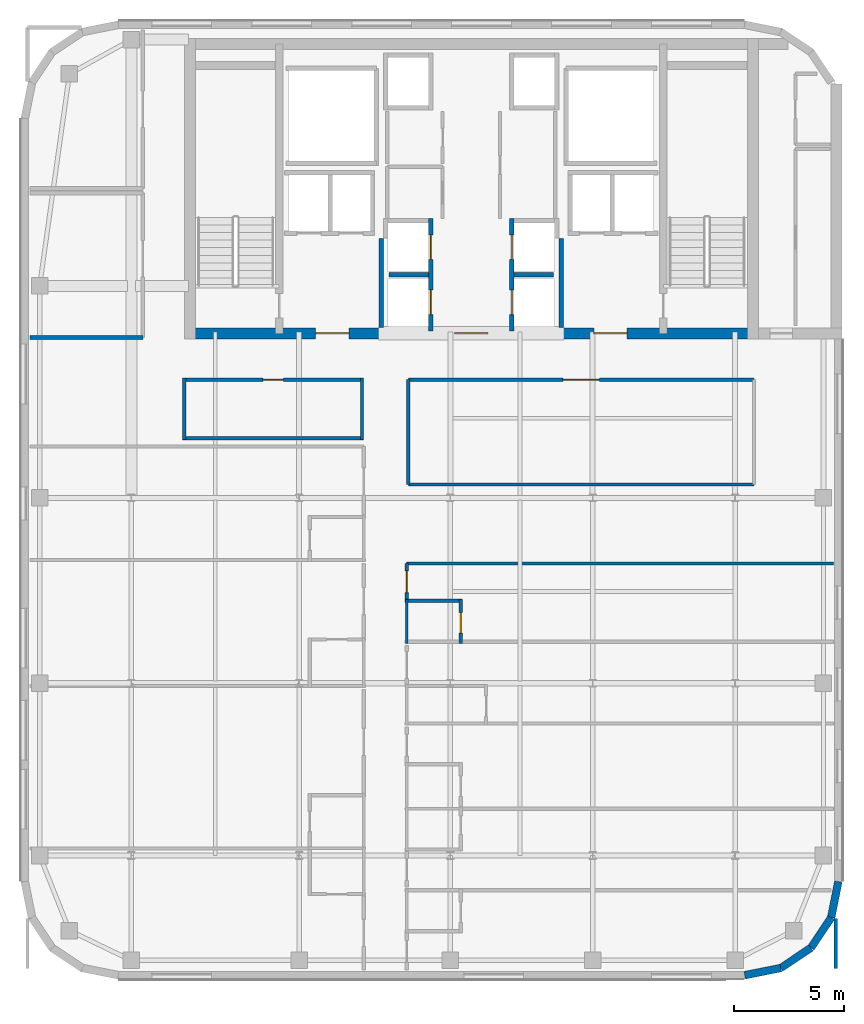
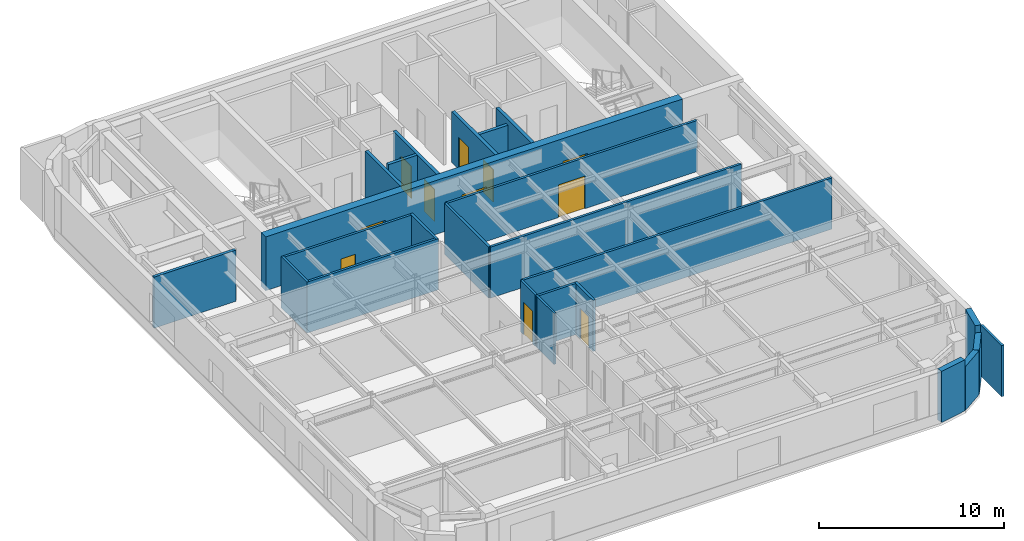
# One storey, part 5 of 12: 25 walls, 11 doors, 11 openings.
"""IFC4 building model written with IfcOpenShell, lengths in metres."""

from ifc_helpers import new_model, si_unit, direction, frame, frame_2d, origin, place, context, subcontext, project, spatial, rectangle, extrude, source, transform, mapped, material, layer, layer_set, type_object, type_shapes, element, fill, save


model = new_model("IFC4")

# Units and contexts
model_context = context("Model", 3, precision=1e-05, world=origin(), true_north=direction((0.0, 1.0)))
body_context = subcontext(model_context, "Body", "Model", "MODEL_VIEW")
ifc_project = project(units=[si_unit("LENGTHUNIT", "METRE"), si_unit("AREAUNIT", "SQUARE_METRE"), si_unit("VOLUMEUNIT", "CUBIC_METRE"), si_unit("PLANEANGLEUNIT", "RADIAN"), si_unit("MASSUNIT", "GRAM", prefix="KILO")], contexts=[model_context])

# Site, building, storey
site_placement = place(None, origin())
site = spatial("IfcSite", under=ifc_project, at=site_placement, CompositionType="ELEMENT")
building_placement = place(site_placement, origin())
building = spatial("IfcBuilding", under=site, at=building_placement, Name="Tolvann Quenvar Hotel", CompositionType="ELEMENT")
storey_placement = place(building_placement, frame((0.0, 0.0, 213.25)))
storey = spatial("IfcBuildingStorey", under=building, at=storey_placement, Name="L56", CompositionType="ELEMENT", Elevation=213.25)

# Wall, openings, doors
ifc_material_1 = material(Name="Concrete N50 (50 MPa)", Category="concrete")
ifc_layer_1 = layer(ifc_material_1, 0.5)
ifc_layer_set_1 = layer_set([ifc_layer_1], Name="Concrete N50 (50 MPa)")
wall_type_1 = type_object("IfcWallType", Name="WALL_CORE_500", PredefinedType="SHEAR", material=ifc_layer_set_1)
wall_1_placement = place(storey_placement, frame((10.0, 31.85009765625, 0.0), z_axis=(0.0, 0.0, 1.0), x_axis=(1.0, 0.0, 0.0)))
wall_1 = element("IfcWall", 1, at=wall_1_placement, inside=storey, type_object=wall_type_1, Name="Rear Core S Shear Wall (L56)", PredefinedType="SHEAR", context=body_context, shape_type="SweptSolid", body=[
    extrude(rectangle(XDim=26.0, YDim=0.5, at=frame_2d((13.0, 0.0))), origin(), (0.0, 0.0, 1.0), 3.550048828125),
])
opening_1_placement = place(wall_1_placement, frame((7.449951171875, 0.0, 0.0), z_axis=(0.0, 0.0, 1.0), x_axis=(-1.0, 0.0, 0.0)))
opening_1 = element("IfcOpeningElement", 2, at=opening_1_placement, cuts=wall_1, Name="Opening FD-60D", PredefinedType="OPENING", context=body_context, shape_type="SweptSolid", body=[
    extrude(rectangle(XDim=1.5, YDim=2.0400390625, at=frame_2d((0.75, 1.02001953125))), frame((0.0, 0.260009765625, 0.0), z_axis=(0.0, -1.0, 0.0), x_axis=(1.0, 0.0, 0.0)), (0.0, 0.0, 1.0), 0.52001953125),
])
opening_2_placement = place(wall_1_placement, frame((13.75, 0.0, 0.0), z_axis=(0.0, 0.0, 1.0), x_axis=(-1.0, 0.0, 0.0)))
opening_2 = element("IfcOpeningElement", 3, at=opening_2_placement, cuts=wall_1, Name="Opening FD-60D", PredefinedType="OPENING", context=body_context, shape_type="SweptSolid", body=[
    extrude(rectangle(XDim=1.5, YDim=2.0400390625, at=frame_2d((0.75, 1.02001953125))), frame((0.0, 0.260009765625, 0.0), z_axis=(0.0, -1.0, 0.0), x_axis=(1.0, 0.0, 0.0)), (0.0, 0.0, 1.0), 0.52001953125),
])
opening_3_placement = place(wall_1_placement, frame((20.050048828125, 0.0, 0.0), z_axis=(0.0, 0.0, 1.0), x_axis=(-1.0, 0.0, 0.0)))
opening_3 = element("IfcOpeningElement", 4, at=opening_3_placement, cuts=wall_1, Name="Opening FD-60D", PredefinedType="OPENING", context=body_context, shape_type="SweptSolid", body=[
    extrude(rectangle(XDim=1.5, YDim=2.0400390625, at=frame_2d((0.75, 1.02001953125))), frame((0.0, 0.260009765625, 0.0), z_axis=(0.0, -1.0, 0.0), x_axis=(1.0, 0.0, 0.0)), (0.0, 0.0, 1.0), 0.52001953125),
])
ifc_material_2 = material(Name="Solid-core American oak acoustic fire door leaf in steel frame", Category="steel")
door_type_1 = type_object("IfcDoorType", Name="DOOR_FIRE_LOBBY_1500", OperationType="NOTDEFINED", PredefinedType="DOOR", material=ifc_material_2)
shared_shape_1 = source(origin(), body_context, "Body", "SweptSolid", [
    extrude(rectangle(XDim=1.5, YDim=2.0400390625, at=frame_2d((0.75, 1.02001953125))), frame((0.0, 0.02490234375, 0.0), z_axis=(0.0, -1.0, 0.0), x_axis=(1.0, 0.0, 0.0)), (0.0, 0.0, 1.0), 0.050048828125),
])
type_shapes(door_type_1, [shared_shape_1])
door_1_placement = place(opening_1_placement, origin())
door_1 = element("IfcDoor", 5, at=door_1_placement, inside=storey, type_object=door_type_1, Name="Core Lobby Fire Door FFW (L56)", OperationType="DOUBLE_DOOR_SINGLE_SWING", OverallHeight=2.0400390625, OverallWidth=1.5, PredefinedType="DOOR", context=body_context, shape_type="MappedRepresentation", body=[
    mapped(shared_shape_1, transform((0.0, 0.0, 0.0), x_axis=(1.0, 0.0, 0.0), y_axis=(0.0, 1.0, 0.0), z_axis=(0.0, 0.0, 1.0), scale=1.0)),
])
fill(opening_1, door_1)
door_2_placement = place(opening_2_placement, origin())
door_2 = element("IfcDoor", 6, at=door_2_placement, inside=storey, type_object=door_type_1, Name="Core Lobby Fire Door CLOB (L56)", OperationType="DOUBLE_DOOR_SINGLE_SWING", OverallHeight=2.0400390625, OverallWidth=1.5, PredefinedType="DOOR", context=body_context, shape_type="MappedRepresentation", body=[
    mapped(shared_shape_1, transform((0.0, 0.0, 0.0), x_axis=(1.0, 0.0, 0.0), y_axis=(0.0, 1.0, 0.0), z_axis=(0.0, 0.0, 1.0), scale=1.0)),
])
fill(opening_2, door_2)
door_3_placement = place(opening_3_placement, origin())
door_3 = element("IfcDoor", 7, at=door_3_placement, inside=storey, type_object=door_type_1, Name="Core Lobby Fire Door FFE (L56)", OperationType="DOUBLE_DOOR_SINGLE_SWING", OverallHeight=2.0400390625, OverallWidth=1.5, PredefinedType="DOOR", context=body_context, shape_type="MappedRepresentation", body=[
    mapped(shared_shape_1, transform((0.0, 0.0, 0.0), x_axis=(1.0, 0.0, 0.0), y_axis=(0.0, 1.0, 0.0), z_axis=(0.0, 0.0, 1.0), scale=1.0)),
])
fill(opening_3, door_3)

# Walls
ifc_material_3 = material(Name="Kiln-fired red and buff architectural clay brickwork and terracotta masonry", Category="masonry")
ifc_layer_2 = layer(ifc_material_3, 0.35009765625)
ifc_layer_set_2 = layer_set([ifc_layer_2], Name="Kiln-fired red and buff architectural clay brickwork and terracotta masonry")
wall_type_2 = type_object("IfcWallType", Name="WALL_EXT_BRICK_350", PredefinedType="SOLIDWALL", material=ifc_layer_set_2)
wall_2_placement = place(storey_placement, frame((35.3828125, 2.77490234375, 0.0), z_axis=(0.0, 0.0, 1.0), x_axis=(0.980788844421, 0.195072403631, 0.0)))
element("IfcWall", 8, at=wall_2_placement, inside=storey, type_object=wall_type_2, Name="Exterior Chicago Brick Wall L56-E05", PredefinedType="SOLIDWALL", context=body_context, shape_type="SweptSolid", body=[
    extrude(rectangle(XDim=1.66455078125, YDim=0.35009765625, at=frame_2d((0.832275390625, 0.0))), origin(), (0.0, 0.0, 1.0), 3.3701171875),
])
for number, where, z_axis, x_axis, name in (
    (9, (37.015380859375, 3.099609375, 0.0), (0.0, 0.0, 1.0), (0.831434158098, 0.555623290322, 0.0), "Exterior Chicago Brick Wall L56-E06"),
    (10, (38.385009765625, 4.014892578125, 0.0), (0.0, 0.0, 1.0), (0.555623290322, 0.831434158098, 0.0), "Exterior Chicago Brick Wall L56-E07"),
):
    element("IfcWall", number, at=place(storey_placement, frame(where, z_axis=z_axis, x_axis=x_axis)), inside=storey, type_object=wall_type_2, Name=name, PredefinedType="SOLIDWALL", context=body_context, shape_type="SweptSolid", body=[
        extrude(rectangle(XDim=1.647216796875, YDim=0.35009765625, at=frame_2d((0.82373046875, 0.0))), origin(), (0.0, 0.0, 1.0), 2.89990234375),
    ])
wall_3_placement = place(storey_placement, frame((39.30029296875, 5.384521484375, 0.0), z_axis=(0.0, 0.0, 1.0), x_axis=(0.195072403631, 0.980788844421, 0.0)))
element("IfcWall", 11, at=wall_3_placement, inside=storey, type_object=wall_type_2, Name="Exterior Chicago Brick Wall L56-E08", PredefinedType="SOLIDWALL", context=body_context, shape_type="SweptSolid", body=[
    extrude(rectangle(XDim=1.66455078125, YDim=0.35009765625, at=frame_2d((0.832275390625, 0.0))), origin(), (0.0, 0.0, 1.0), 3.3701171875),
])
ifc_material_4 = material(Name="Acoustic twin-stud fire-rated gypsum plasterboard partition")
ifc_layer_3 = layer(ifc_material_4, 0.179931640625)
ifc_layer_set_3 = layer_set([ifc_layer_3], Name="Acoustic twin-stud fire-rated gypsum plasterboard partition")
wall_type_3 = type_object("IfcWallType", Name="WALL_PART_ACOUSTIC_180", PredefinedType="PARTITIONING", material=ifc_layer_set_3)
wall_4_placement = place(storey_placement, frame((3.0048828125, 31.64990234375, 0.0), z_axis=(0.0, 0.0, 1.0), x_axis=(1.0, 0.0, 0.0)))
element("IfcWall", 12, at=wall_4_placement, inside=storey, type_object=wall_type_3, Name="Interior Partition PT-SPC-L56-SAL-S", PredefinedType="PARTITIONING", context=body_context, shape_type="SweptSolid", body=[
    extrude(rectangle(XDim=5.115234375, YDim=0.179931640625, at=frame_2d((2.5576171875, 0.0))), origin(), (0.0, 0.0, 1.0), 3.3701171875),
])
ifc_material_5 = material(Name="Moisture-resistant acoustic plumbing wall assembly")
ifc_layer_4 = layer(ifc_material_5, 0.1201171875)
ifc_layer_set_4 = layer_set([ifc_layer_4], Name="Moisture-resistant acoustic plumbing wall assembly")
wall_type_4 = type_object("IfcWallType", Name="WALL_PART_BATH_120", PredefinedType="PLUMBINGWALL", material=ifc_layer_set_4)
wall_5_placement = place(storey_placement, frame((20.070068359375, 17.81005859375, 0.0), z_axis=(0.0, 0.0, 1.0), x_axis=(0.0, 1.0, 0.0)))
element("IfcWall", 13, at=wall_5_placement, inside=storey, type_object=wall_type_4, Name="Non-Rated Plumbing Partition PT-SPC-L56-ENS-EO05-W", PredefinedType="PLUMBINGWALL", context=body_context, shape_type="SweptSolid", body=[
    extrude(rectangle(XDim=1.989990234375, YDim=0.1201171875, at=frame_2d((0.9951171875, 0.0))), origin(), (0.0, 0.0, 1.0), 3.3701171875),
])

# Wall, opening, door
ifc_layer_5 = layer(ifc_material_4, 0.14990234375)
ifc_layer_set_5 = layer_set([ifc_layer_5], Name="Acoustic twin-stud fire-rated gypsum plasterboard partition")
wall_type_5 = type_object("IfcWallType", Name="WALL_PART_SUITE_150", PredefinedType="PARTITIONING", material=ifc_layer_set_5)
wall_6_placement = place(storey_placement, frame((22.52001953125, 17.81005859375, 0.0), z_axis=(0.0, 0.0, 1.0), x_axis=(0.0, 1.0, 0.0)))
wall_6 = element("IfcWall", 14, at=wall_6_placement, inside=storey, type_object=wall_type_5, Name="Interior Partition PT-SPC-L56-ENS-EO05-ENT", PredefinedType="PARTITIONING", context=body_context, shape_type="SweptSolid", body=[
    extrude(rectangle(XDim=1.989990234375, YDim=0.14990234375, at=frame_2d((0.9951171875, 0.0))), origin(), (0.0, 0.0, 1.0), 3.3701171875),
])
opening_4_placement = place(wall_6_placement, frame((0.465087890625, 0.0, 0.0)))
opening_4 = element("IfcOpeningElement", 15, at=opening_4_placement, cuts=wall_6, Name="Opening WD-01", PredefinedType="OPENING", context=body_context, shape_type="SweptSolid", body=[
    extrude(rectangle(XDim=0.919921875, YDim=2.010009765625, at=frame_2d((0.4599609375, 1.0048828125))), frame((0.0, 0.0849609375, 0.0), z_axis=(0.0, -1.0, 0.0), x_axis=(1.0, 0.0, 0.0)), (0.0, 0.0, 1.0), 0.169921875),
])
door_type_2 = type_object("IfcDoorType", Name="DOOR_WC_920", OperationType="NOTDEFINED", PredefinedType="DOOR", material=ifc_material_2)
shared_shape_2 = source(origin(), body_context, "Body", "SweptSolid", [
    extrude(rectangle(XDim=0.919921875, YDim=2.010009765625, at=frame_2d((0.4599609375, 1.0048828125))), frame((0.0, 0.02490234375, 0.0), z_axis=(0.0, -1.0, 0.0), x_axis=(1.0, 0.0, 0.0)), (0.0, 0.0, 1.0), 0.050048828125),
])
type_shapes(door_type_2, [shared_shape_2])
door_4_placement = place(opening_4_placement, origin())
door_4 = element("IfcDoor", 16, at=door_4_placement, inside=storey, type_object=door_type_2, Name="Interior Door DOOR-SPC-L56-ENS-EO05", OperationType="SINGLE_SWING_RIGHT", OverallHeight=2.010009765625, OverallWidth=0.919921875, PredefinedType="DOOR", context=body_context, shape_type="MappedRepresentation", body=[
    mapped(shared_shape_2, transform((0.0, 0.0, 0.0), x_axis=(1.0, 0.0, 0.0), y_axis=(0.0, 1.0, 0.0), z_axis=(0.0, 0.0, 1.0), scale=1.0)),
])
fill(opening_4, door_4)

# Walls
wall_7_placement = place(storey_placement, frame((20.0, 19.72998046875, 0.0), z_axis=(0.0, 0.0, 1.0), x_axis=(1.0, 0.0, 0.0)))
element("IfcWall", 17, at=wall_7_placement, inside=storey, type_object=wall_type_5, Name="Interior Partition PT-SPC-L56-ENS-EO05-N", PredefinedType="PARTITIONING", context=body_context, shape_type="SweptSolid", body=[
    extrude(rectangle(XDim=2.590087890625, YDim=0.14990234375, at=frame_2d((1.294921875, 0.0))), origin(), (0.0, 0.0, 1.0), 3.3701171875),
])
wall_8_placement = place(storey_placement, frame((39.5, 3.080078125, 0.0), z_axis=(0.0, 0.0, 1.0), x_axis=(0.0, 1.0, 0.0)))
element("IfcWall", 18, at=wall_8_placement, inside=storey, type_object=wall_type_5, Name="Interior Partition PT-SPC-L56-RM-EO01-E2", PredefinedType="PARTITIONING", context=body_context, shape_type="SweptSolid", body=[
    extrude(rectangle(XDim=2.264892578125, YDim=0.14990234375, at=frame_2d((1.13232421875, 0.0))), origin(), (0.0, 0.0, 1.0), 3.3701171875),
])

# Wall, opening, door
wall_9_placement = place(storey_placement, frame((20.070068359375, 19.81005859375, 0.0), z_axis=(0.0, 0.0, 1.0), x_axis=(0.0, 1.0, 0.0)))
wall_9 = element("IfcWall", 19, at=wall_9_placement, inside=storey, type_object=wall_type_5, Name="Interior Partition PT-SPC-L56-RM-EO05-ENT", PredefinedType="PARTITIONING", context=body_context, shape_type="SweptSolid", body=[
    extrude(rectangle(XDim=1.60986328125, YDim=0.14990234375, at=frame_2d((0.804931640625, 0.0))), origin(), (0.0, 0.0, 1.0), 3.3701171875),
])
opening_5_placement = place(wall_9_placement, frame((0.294921875, 0.0, 0.0)))
opening_5 = element("IfcOpeningElement", 20, at=opening_5_placement, cuts=wall_9, Name="Opening SD-01", PredefinedType="OPENING", context=body_context, shape_type="SweptSolid", body=[
    extrude(rectangle(XDim=0.97998046875, YDim=2.1201171875, at=frame_2d((0.489990234375, 1.06005859375))), frame((0.0, 0.0849609375, 0.0), z_axis=(0.0, -1.0, 0.0), x_axis=(1.0, 0.0, 0.0)), (0.0, 0.0, 1.0), 0.169921875),
])
door_type_3 = type_object("IfcDoorType", Name="DOOR_SUITE_980", OperationType="NOTDEFINED", PredefinedType="DOOR", material=ifc_material_2)
shared_shape_3 = source(origin(), body_context, "Body", "SweptSolid", [
    extrude(rectangle(XDim=0.97998046875, YDim=2.1201171875, at=frame_2d((0.489990234375, 1.06005859375))), frame((0.0, 0.02490234375, 0.0), z_axis=(0.0, -1.0, 0.0), x_axis=(1.0, 0.0, 0.0)), (0.0, 0.0, 1.0), 0.050048828125),
])
type_shapes(door_type_3, [shared_shape_3])
door_5_placement = place(opening_5_placement, origin())
door_5 = element("IfcDoor", 21, at=door_5_placement, inside=storey, type_object=door_type_3, Name="Interior Door DOOR-SPC-L56-RM-EO05", OperationType="SINGLE_SWING_RIGHT", OverallHeight=2.1201171875, OverallWidth=0.97998046875, PredefinedType="DOOR", context=body_context, shape_type="MappedRepresentation", body=[
    mapped(shared_shape_3, transform((0.0, 0.0, 0.0), x_axis=(1.0, 0.0, 0.0), y_axis=(0.0, 1.0, 0.0), z_axis=(0.0, 0.0, 1.0), scale=1.0)),
])
fill(opening_5, door_5)

# Walls
wall_10_placement = place(storey_placement, frame((20.070068359375, 21.419921875, 0.0), z_axis=(0.0, 0.0, 1.0), x_axis=(1.0, 0.0, 0.0)))
element("IfcWall", 22, at=wall_10_placement, inside=storey, type_object=wall_type_5, Name="Interior Partition PT-SPC-L56-RM-EO05-E5", PredefinedType="PARTITIONING", context=body_context, shape_type="SweptSolid", body=[
    extrude(rectangle(XDim=19.324951171875, YDim=0.14990234375, at=frame_2d((9.66259765625, 0.0))), origin(), (0.0, 0.0, 1.0), 3.3701171875),
])
wall_11_placement = place(storey_placement, frame((9.929931640625, 27.10009765625, 0.0), z_axis=(0.0, 0.0, 1.0), x_axis=(1.0, 0.0, 0.0)))
element("IfcWall", 23, at=wall_11_placement, inside=storey, type_object=wall_type_5, Name="Interior Partition PT-SPC-L56-WCA-S", PredefinedType="PARTITIONING", context=body_context, shape_type="SweptSolid", body=[
    extrude(rectangle(XDim=8.190185546875, YDim=0.14990234375, at=frame_2d((4.09521484375, 0.0))), origin(), (0.0, 0.0, 1.0), 3.3701171875),
])

# Wall, opening, door
wall_12_placement = place(storey_placement, frame((9.929931640625, 29.75, 0.0), z_axis=(0.0, 0.0, 1.0), x_axis=(1.0, 0.0, 0.0)))
wall_12 = element("IfcWall", 24, at=wall_12_placement, inside=storey, type_object=wall_type_5, Name="Interior Partition PT-SPC-L56-WCA-N", PredefinedType="PARTITIONING", context=body_context, shape_type="SweptSolid", body=[
    extrude(rectangle(XDim=8.190185546875, YDim=0.14990234375, at=frame_2d((4.09521484375, 0.0))), origin(), (0.0, 0.0, 1.0), 3.3701171875),
])
opening_6_placement = place(wall_12_placement, frame((3.635009765625, 0.0, 0.0)))
opening_6 = element("IfcOpeningElement", 25, at=opening_6_placement, cuts=wall_12, Name="Opening WD-01", PredefinedType="OPENING", context=body_context, shape_type="SweptSolid", body=[
    extrude(rectangle(XDim=0.919921875, YDim=2.010009765625, at=frame_2d((0.4599609375, 1.0048828125))), frame((0.0, 0.0849609375, 0.0), z_axis=(0.0, -1.0, 0.0), x_axis=(1.0, 0.0, 0.0)), (0.0, 0.0, 1.0), 0.169921875),
])
door_6_placement = place(opening_6_placement, origin())
door_6 = element("IfcDoor", 26, at=door_6_placement, inside=storey, type_object=door_type_2, Name="Interior Door DOOR-SPC-L56-WCA", OperationType="SINGLE_SWING_LEFT", OverallHeight=2.010009765625, OverallWidth=0.919921875, PredefinedType="DOOR", context=body_context, shape_type="MappedRepresentation", body=[
    mapped(shared_shape_2, transform((0.0, 0.0, 0.0), x_axis=(1.0, 0.0, 0.0), y_axis=(0.0, 1.0, 0.0), z_axis=(0.0, 0.0, 1.0), scale=1.0)),
])
fill(opening_6, door_6)

# Walls
for number, where, z_axis, x_axis, name in (
    (27, (10.0, 27.030029296875, 0.0), (0.0, 0.0, 1.0), (0.0, 1.0, 0.0), "Interior Partition PT-SPC-L56-WCA-W"),
    (28, (18.050048828125, 27.030029296875, 0.0), (0.0, 0.0, 1.0), (0.0, 1.0, 0.0), "Interior Partition PT-SPC-L56-WCA-E"),
):
    element("IfcWall", number, at=place(storey_placement, frame(where, z_axis=z_axis, x_axis=x_axis)), inside=storey, type_object=wall_type_5, Name=name, PredefinedType="PARTITIONING", context=body_context, shape_type="SweptSolid", body=[
        extrude(rectangle(XDim=2.7900390625, YDim=0.14990234375, at=frame_2d((1.39501953125, 0.0))), origin(), (0.0, 0.0, 1.0), 3.3701171875),
    ])
wall_13_placement = place(storey_placement, frame((20.14990234375, 25.0, 0.0), z_axis=(0.0, 0.0, 1.0), x_axis=(1.0, 0.0, 0.0)))
element("IfcWall", 29, at=wall_13_placement, inside=storey, type_object=wall_type_5, Name="Interior Partition PT-SPC-L56-LOUNGE-S", PredefinedType="PARTITIONING", context=body_context, shape_type="SweptSolid", body=[
    extrude(rectangle(XDim=15.650146484375, YDim=0.14990234375, at=frame_2d((7.8251953125, 0.0))), origin(), (0.0, 0.0, 1.0), 3.3701171875),
])

# Wall, opening, door
wall_14_placement = place(storey_placement, frame((20.14990234375, 29.75, 0.0), z_axis=(0.0, 0.0, 1.0), x_axis=(1.0, 0.0, 0.0)))
wall_14 = element("IfcWall", 30, at=wall_14_placement, inside=storey, type_object=wall_type_5, Name="Interior Partition PT-SPC-L56-LOUNGE-N", PredefinedType="PARTITIONING", context=body_context, shape_type="SweptSolid", body=[
    extrude(rectangle(XDim=15.650146484375, YDim=0.14990234375, at=frame_2d((7.8251953125, 0.0))), origin(), (0.0, 0.0, 1.0), 3.3701171875),
])
opening_7_placement = place(wall_14_placement, frame((7.0, 0.0, 0.0)))
opening_7 = element("IfcOpeningElement", 31, at=opening_7_placement, cuts=wall_14, Name="Opening AD-01", PredefinedType="OPENING", context=body_context, shape_type="SweptSolid", body=[
    extrude(rectangle(XDim=1.64990234375, YDim=2.14990234375, at=frame_2d((0.824951171875, 1.074951171875))), frame((0.0, 0.0849609375, 0.0), z_axis=(0.0, -1.0, 0.0), x_axis=(1.0, 0.0, 0.0)), (0.0, 0.0, 1.0), 0.169921875),
])
door_type_4 = type_object("IfcDoorType", Name="DOOR_SALON_1650", OperationType="NOTDEFINED", PredefinedType="DOOR", material=ifc_material_2)
shared_shape_4 = source(origin(), body_context, "Body", "SweptSolid", [
    extrude(rectangle(XDim=1.64990234375, YDim=2.14990234375, at=frame_2d((0.824951171875, 1.074951171875))), frame((0.0, 0.02490234375, 0.0), z_axis=(0.0, -1.0, 0.0), x_axis=(1.0, 0.0, 0.0)), (0.0, 0.0, 1.0), 0.050048828125),
])
type_shapes(door_type_4, [shared_shape_4])
door_7_placement = place(opening_7_placement, origin())
door_7 = element("IfcDoor", 32, at=door_7_placement, inside=storey, type_object=door_type_4, Name="Interior Door DOOR-SPC-L56-LOUNGE", OperationType="DOUBLE_DOOR_SINGLE_SWING", OverallHeight=2.14990234375, OverallWidth=1.64990234375, PredefinedType="DOOR", context=body_context, shape_type="MappedRepresentation", body=[
    mapped(shared_shape_4, transform((0.0, 0.0, 0.0), x_axis=(1.0, 0.0, 0.0), y_axis=(0.0, 1.0, 0.0), z_axis=(0.0, 0.0, 1.0), scale=1.0)),
])
fill(opening_7, door_7)

# Walls
wall_15_placement = place(storey_placement, frame((20.14990234375, 25.0, 0.0), z_axis=(0.0, 0.0, 1.0), x_axis=(0.0, 1.0, 0.0)))
element("IfcWall", 33, at=wall_15_placement, inside=storey, type_object=wall_type_5, Name="Interior Partition PT-SPC-L56-LOUNGE-W", PredefinedType="PARTITIONING", context=body_context, shape_type="SweptSolid", body=[
    extrude(rectangle(XDim=4.75, YDim=0.14990234375, at=frame_2d((2.375, 0.0))), origin(), (0.0, 0.0, 1.0), 3.3701171875),
])
ifc_material_6 = material(Name="Concrete N40 (40 MPa)", Category="concrete")
ifc_layer_6 = layer(ifc_material_6, 0.199951171875)
ifc_layer_set_6 = layer_set([ifc_layer_6], Name="Concrete N40 (40 MPa)")
wall_type_6 = type_object("IfcWallType", Name="WALL_SHAFT_200", PredefinedType="SOLIDWALL", material=ifc_layer_set_6)
for number, where, z_axis, x_axis, name in (
    (34, (18.919921875, 32.10400390625, 0.0), (0.0, 0.0, 1.0), (0.0, 1.0, 0.0), "Firefighting Lobby W Inner Fire Wall (L56)"),
    (35, (27.080078125, 32.10400390625, 0.0), (0.0, 0.0, 1.0), (0.0, 1.0, 0.0), "Firefighting Lobby E Inner Fire Wall (L56)"),
):
    element("IfcWall", number, at=place(storey_placement, frame(where, z_axis=z_axis, x_axis=x_axis)), inside=storey, type_object=wall_type_6, Name=name, PredefinedType="SOLIDWALL", context=body_context, shape_type="SweptSolid", body=[
        extrude(rectangle(XDim=4.0458984375, YDim=0.199951171875, at=frame_2d((2.02294921875, 0.0))), origin(), (0.0, 0.0, 1.0), 3.3701171875),
    ])

# Wall, openings, doors
wall_16_placement = place(storey_placement, frame((21.169921875, 31.9599609375, 0.0), z_axis=(0.0, 0.0, 1.0), x_axis=(0.0, 1.0, 0.0)))
wall_16 = element("IfcWall", 36, at=wall_16_placement, inside=storey, type_object=wall_type_6, Name="Lift Bank E21.1C1 Hoistway Front Wall (L56)", PredefinedType="SOLIDWALL", context=body_context, shape_type="SweptSolid", body=[
    extrude(rectangle(XDim=5.080078125, YDim=0.199951171875, at=frame_2d((2.5400390625, 0.0))), origin(), (0.0, 0.0, 1.0), 3.3701171875),
])
opening_8_placement = place(wall_16_placement, frame((0.739990234375, 0.0, 0.0)))
opening_8 = element("IfcOpeningElement", 37, at=opening_8_placement, cuts=wall_16, Name="Opening LD-01", PredefinedType="OPENING", context=body_context, shape_type="SweptSolid", body=[
    extrude(rectangle(XDim=1.10009765625, YDim=2.1201171875, at=frame_2d((0.550048828125, 1.06005859375))), frame((0.0, 0.10986328125, 0.0), z_axis=(0.0, -1.0, 0.0), x_axis=(1.0, 0.0, 0.0)), (0.0, 0.0, 1.0), 0.219970703125),
])
opening_9_placement = place(wall_16_placement, frame((3.239990234375, 0.0, 0.0)))
opening_9 = element("IfcOpeningElement", 38, at=opening_9_placement, cuts=wall_16, Name="Opening LD-01", PredefinedType="OPENING", context=body_context, shape_type="SweptSolid", body=[
    extrude(rectangle(XDim=1.10009765625, YDim=2.1201171875, at=frame_2d((0.550048828125, 1.06005859375))), frame((0.0, 0.10986328125, 0.0), z_axis=(0.0, -1.0, 0.0), x_axis=(1.0, 0.0, 0.0)), (0.0, 0.0, 1.0), 0.219970703125),
])
ifc_material_7 = material(Name="Brushed 316 stainless steel automatic sliding lift landing door", Category="steel")
door_type_5 = type_object("IfcDoorType", Name="DOOR_LIFT_SLIDE_1100", OperationType="NOTDEFINED", PredefinedType="DOOR", material=ifc_material_7)
shared_shape_5 = source(origin(), body_context, "Body", "SweptSolid", [
    extrude(rectangle(XDim=1.10009765625, YDim=2.1201171875, at=frame_2d((0.550048828125, 1.06005859375))), frame((0.0, 0.02490234375, 0.0), z_axis=(0.0, -1.0, 0.0), x_axis=(1.0, 0.0, 0.0)), (0.0, 0.0, 1.0), 0.050048828125),
])
type_shapes(door_type_5, [shared_shape_5])
door_8_placement = place(opening_8_placement, origin())
door_8 = element("IfcDoor", 39, at=door_8_placement, inside=storey, type_object=door_type_5, Name="Lift PH-1 Sliding Landing Door (L56)", OperationType="SLIDING_TO_LEFT", OverallHeight=2.1201171875, OverallWidth=1.10009765625, PredefinedType="DOOR", context=body_context, shape_type="MappedRepresentation", body=[
    mapped(shared_shape_5, transform((0.0, 0.0, 0.0), x_axis=(1.0, 0.0, 0.0), y_axis=(0.0, 1.0, 0.0), z_axis=(0.0, 0.0, 1.0), scale=1.0)),
])
fill(opening_8, door_8)
door_9_placement = place(opening_9_placement, origin())
door_9 = element("IfcDoor", 40, at=door_9_placement, inside=storey, type_object=door_type_5, Name="Lift PH-2 Sliding Landing Door (L56)", OperationType="SLIDING_TO_RIGHT", OverallHeight=2.1201171875, OverallWidth=1.10009765625, PredefinedType="DOOR", context=body_context, shape_type="MappedRepresentation", body=[
    mapped(shared_shape_5, transform((0.0, 0.0, 0.0), x_axis=(1.0, 0.0, 0.0), y_axis=(0.0, 1.0, 0.0), z_axis=(0.0, 0.0, 1.0), scale=1.0)),
])
fill(opening_9, door_9)

# Wall
wall_17_placement = place(storey_placement, frame((19.27001953125, 34.5, 0.0), z_axis=(0.0, 0.0, 1.0), x_axis=(1.0, 0.0, 0.0)))
element("IfcWall", 41, at=wall_17_placement, inside=storey, type_object=wall_type_6, Name="Lift Bank E21.1C1 Divider Wall 1 (L56)", PredefinedType="SOLIDWALL", context=body_context, shape_type="SweptSolid", body=[
    extrude(rectangle(XDim=1.800048828125, YDim=0.199951171875, at=frame_2d((0.89990234375, 0.0))), origin(), (0.0, 0.0, 1.0), 3.3701171875),
])

# Wall, openings, doors
wall_18_placement = place(storey_placement, frame((24.830078125, 31.9599609375, 0.0), z_axis=(0.0, 0.0, 1.0), x_axis=(0.0, 1.0, 0.0)))
wall_18 = element("IfcWall", 42, at=wall_18_placement, inside=storey, type_object=wall_type_6, Name="Lift Bank W24.9C1 Hoistway Front Wall (L56)", PredefinedType="SOLIDWALL", context=body_context, shape_type="SweptSolid", body=[
    extrude(rectangle(XDim=5.080078125, YDim=0.199951171875, at=frame_2d((2.5400390625, 0.0))), origin(), (0.0, 0.0, 1.0), 3.3701171875),
])
opening_10_placement = place(wall_18_placement, frame((0.739990234375, 0.0, 0.0)))
opening_10 = element("IfcOpeningElement", 43, at=opening_10_placement, cuts=wall_18, Name="Opening LD-01", PredefinedType="OPENING", context=body_context, shape_type="SweptSolid", body=[
    extrude(rectangle(XDim=1.10009765625, YDim=2.1201171875, at=frame_2d((0.550048828125, 1.06005859375))), frame((0.0, 0.10986328125, 0.0), z_axis=(0.0, -1.0, 0.0), x_axis=(1.0, 0.0, 0.0)), (0.0, 0.0, 1.0), 0.219970703125),
])
opening_11_placement = place(wall_18_placement, frame((3.239990234375, 0.0, 0.0)))
opening_11 = element("IfcOpeningElement", 44, at=opening_11_placement, cuts=wall_18, Name="Opening LD-01", PredefinedType="OPENING", context=body_context, shape_type="SweptSolid", body=[
    extrude(rectangle(XDim=1.10009765625, YDim=2.1201171875, at=frame_2d((0.550048828125, 1.06005859375))), frame((0.0, 0.10986328125, 0.0), z_axis=(0.0, -1.0, 0.0), x_axis=(1.0, 0.0, 0.0)), (0.0, 0.0, 1.0), 0.219970703125),
])
door_10_placement = place(opening_10_placement, origin())
door_10 = element("IfcDoor", 45, at=door_10_placement, inside=storey, type_object=door_type_5, Name="Lift PH-3 Sliding Landing Door (L56)", OperationType="SLIDING_TO_LEFT", OverallHeight=2.1201171875, OverallWidth=1.10009765625, PredefinedType="DOOR", context=body_context, shape_type="MappedRepresentation", body=[
    mapped(shared_shape_5, transform((0.0, 0.0, 0.0), x_axis=(1.0, 0.0, 0.0), y_axis=(0.0, 1.0, 0.0), z_axis=(0.0, 0.0, 1.0), scale=1.0)),
])
fill(opening_10, door_10)
door_11_placement = place(opening_11_placement, origin())
door_11 = element("IfcDoor", 46, at=door_11_placement, inside=storey, type_object=door_type_5, Name="Lift PH-4 Sliding Landing Door (L56)", OperationType="SLIDING_TO_RIGHT", OverallHeight=2.1201171875, OverallWidth=1.10009765625, PredefinedType="DOOR", context=body_context, shape_type="MappedRepresentation", body=[
    mapped(shared_shape_5, transform((0.0, 0.0, 0.0), x_axis=(1.0, 0.0, 0.0), y_axis=(0.0, 1.0, 0.0), z_axis=(0.0, 0.0, 1.0), scale=1.0)),
])
fill(opening_11, door_11)

# Wall
wall_19_placement = place(storey_placement, frame((24.929931640625, 34.5, 0.0), z_axis=(0.0, 0.0, 1.0), x_axis=(1.0, 0.0, 0.0)))
element("IfcWall", 47, at=wall_19_placement, inside=storey, type_object=wall_type_6, Name="Lift Bank W24.9C1 Divider Wall 1 (L56)", PredefinedType="SOLIDWALL", context=body_context, shape_type="SweptSolid", body=[
    extrude(rectangle(XDim=1.800048828125, YDim=0.199951171875, at=frame_2d((0.89990234375, 0.0))), origin(), (0.0, 0.0, 1.0), 3.3701171875),
])

save(model, "model.ifc")
